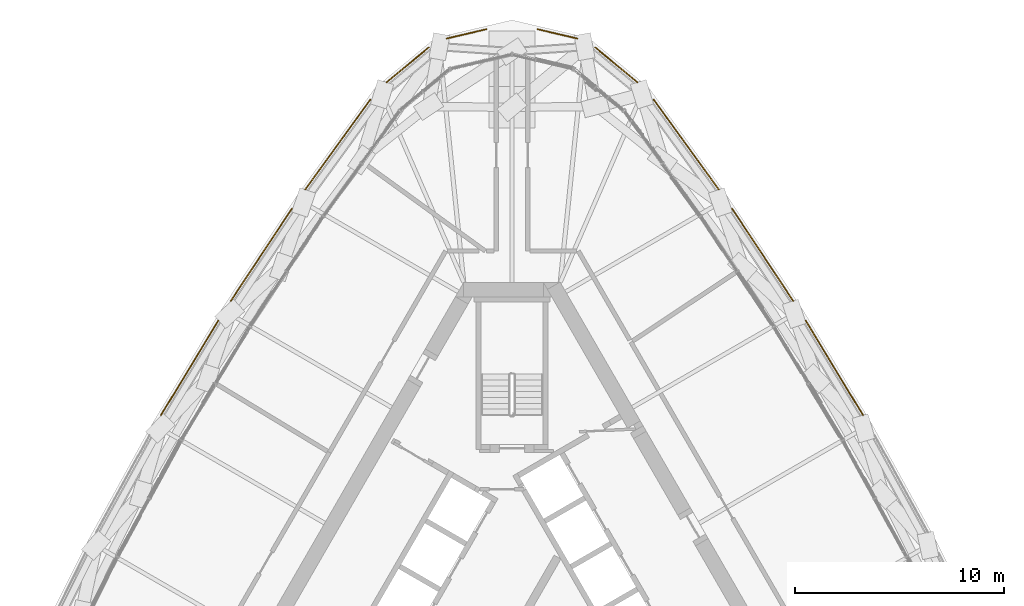
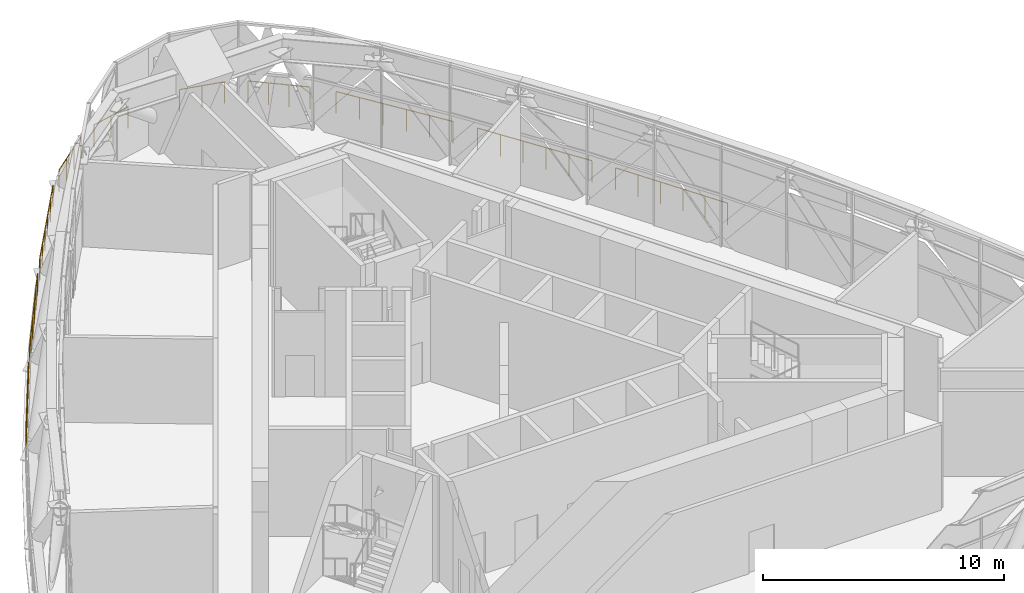
# One storey, part 33 of 33: 10 railings.
"""IFC4 building model written with IfcOpenShell, lengths in metres."""

from ifc_helpers import new_model, si_unit, direction, frame, origin, origin_2d, place, context, subcontext, project, spatial, circle, extrude, material, type_object, element, save


model = new_model("IFC4")

# Units and contexts
model_context = context("Model", 3, precision=1e-05, world=origin(), true_north=direction((0.0, 1.0)))
body_context = subcontext(model_context, "Body", "Model", "MODEL_VIEW")
ifc_project = project(units=[si_unit("LENGTHUNIT", "METRE"), si_unit("AREAUNIT", "SQUARE_METRE"), si_unit("VOLUMEUNIT", "CUBIC_METRE"), si_unit("PLANEANGLEUNIT", "RADIAN"), si_unit("MASSUNIT", "GRAM", prefix="KILO")], contexts=[model_context])

# Site, building, storey
site_placement = place(None, origin())
site = spatial("IfcSite", under=ifc_project, at=site_placement, CompositionType="ELEMENT")
building_placement = place(site_placement, origin())
building = spatial("IfcBuilding", under=site, at=building_placement, Name="Mestral Congress Tower", CompositionType="ELEMENT")
storey_placement = place(building_placement, frame((0.0, 0.0, 256.199951171875)))
storey = spatial("IfcBuildingStorey", under=building, at=storey_placement, Name="L60", CompositionType="ELEMENT", Elevation=256.199951171875)

# Railings
ifc_material = material(Name="Stainless steel", Category="steel")
railing_type = type_object("IfcRailingType", Name="Facade guard 1120 steel and glass", PredefinedType="GUARDRAIL", material=ifc_material)
railing_1_placement = place(storey_placement, frame((16.798828125, 10.341796875, 0.0)))
element("IfcRailing", 1, at=railing_1_placement, inside=storey, type_object=railing_type, Name="Band guard F1-03", PredefinedType="GUARDRAIL", context=body_context, shape_type="SweptSolid", body=[
    extrude(circle(Radius=0.02392578125, at=origin_2d()), frame((0.0, 0.0, 1.09619140625), z_axis=(-0.517846166225, 0.855473756538, 0.0), x_axis=(-0.855473756538, -0.517846166225, 0.0)), (0.0, 0.0, 1.0), 5.298095703125),
    extrude(circle(Radius=0.02099609375, at=origin_2d()), origin(), (0.0, 0.0, 1.0), 1.072021484375),
    extrude(circle(Radius=0.02099609375, at=origin_2d()), frame((-0.548828125, 0.906494140625, 0.0)), (0.0, 0.0, 1.0), 1.072021484375),
    extrude(circle(Radius=0.02099609375, at=origin_2d()), frame((-1.097412109375, 1.81298828125, 0.0)), (0.0, 0.0, 1.0), 1.072021484375),
    extrude(circle(Radius=0.02099609375, at=origin_2d()), frame((-1.646240234375, 2.719482421875, 0.0)), (0.0, 0.0, 1.0), 1.072021484375),
    extrude(circle(Radius=0.02099609375, at=origin_2d()), frame((-2.19482421875, 3.6259765625, 0.0)), (0.0, 0.0, 1.0), 1.072021484375),
    extrude(circle(Radius=0.02099609375, at=origin_2d()), frame((-2.74365234375, 4.532470703125, 0.0)), (0.0, 0.0, 1.0), 1.072021484375),
])
railing_2_placement = place(storey_placement, frame((13.458984375, 15.814697265625, 0.0)))
element("IfcRailing", 2, at=railing_2_placement, inside=storey, type_object=railing_type, Name="Band guard F1-04", PredefinedType="GUARDRAIL", context=body_context, shape_type="SweptSolid", body=[
    extrude(circle(Radius=0.02392578125, at=origin_2d()), frame((0.0, 0.0, 1.09619140625), z_axis=(-0.552955042689, 0.833211090159, 0.0), x_axis=(-0.833211090159, -0.552955042689, 0.0)), (0.0, 0.0, 1.0), 5.29833984375),
    extrude(circle(Radius=0.02099609375, at=origin_2d()), origin(), (0.0, 0.0, 1.0), 1.072021484375),
    extrude(circle(Radius=0.02099609375, at=origin_2d()), frame((-0.5859375, 0.8828125, 0.0)), (0.0, 0.0, 1.0), 1.072021484375),
    extrude(circle(Radius=0.02099609375, at=origin_2d()), frame((-1.171875, 1.765869140625, 0.0)), (0.0, 0.0, 1.0), 1.072021484375),
    extrude(circle(Radius=0.02099609375, at=origin_2d()), frame((-1.7578125, 2.648681640625, 0.0)), (0.0, 0.0, 1.0), 1.072021484375),
    extrude(circle(Radius=0.02099609375, at=origin_2d()), frame((-2.34375, 3.53173828125, 0.0)), (0.0, 0.0, 1.0), 1.072021484375),
    extrude(circle(Radius=0.02099609375, at=origin_2d()), frame((-2.9296875, 4.41455078125, 0.0)), (0.0, 0.0, 1.0), 1.072021484375),
])
railing_3_placement = place(storey_placement, frame((9.89453125, 21.14404296875, 0.0)))
element("IfcRailing", 3, at=railing_3_placement, inside=storey, type_object=railing_type, Name="Band guard F1-05", PredefinedType="GUARDRAIL", context=body_context, shape_type="SweptSolid", body=[
    extrude(circle(Radius=0.02392578125, at=origin_2d()), frame((0.0, 0.0, 1.09619140625), z_axis=(-0.586998456641, 0.80958805074, 0.0), x_axis=(-0.80958805074, -0.586998456641, 0.0)), (0.0, 0.0, 1.0), 5.310791015625),
    extrude(circle(Radius=0.02099609375, at=origin_2d()), origin(), (0.0, 0.0, 1.0), 1.072021484375),
    extrude(circle(Radius=0.02099609375, at=origin_2d()), frame((-0.62353515625, 0.85986328125, 0.0)), (0.0, 0.0, 1.0), 1.072021484375),
    extrude(circle(Radius=0.02099609375, at=origin_2d()), frame((-1.2470703125, 1.7197265625, 0.0)), (0.0, 0.0, 1.0), 1.072021484375),
    extrude(circle(Radius=0.02099609375, at=origin_2d()), frame((-1.870361328125, 2.579833984375, 0.0)), (0.0, 0.0, 1.0), 1.072021484375),
    extrude(circle(Radius=0.02099609375, at=origin_2d()), frame((-2.493896484375, 3.439697265625, 0.0)), (0.0, 0.0, 1.0), 1.072021484375),
    extrude(circle(Radius=0.02099609375, at=origin_2d()), frame((-3.117431640625, 4.299560546875, 0.0)), (0.0, 0.0, 1.0), 1.072021484375),
])
railing_4_placement = place(storey_placement, frame((5.999267578125, 26.2744140625, 0.0)))
element("IfcRailing", 4, at=railing_4_placement, inside=storey, type_object=railing_type, Name="Band guard K1-0", PredefinedType="GUARDRAIL", context=body_context, shape_type="SweptSolid", body=[
    extrude(circle(Radius=0.02392578125, at=origin_2d()), frame((0.0, 0.0, 1.09619140625), z_axis=(-0.769990037733, 0.638055908045, 0.0), x_axis=(-0.638055908045, -0.769990037733, 0.0)), (0.0, 0.0, 1.0), 2.609130859375),
    extrude(circle(Radius=0.02099609375, at=origin_2d()), origin(), (0.0, 0.0, 1.0), 1.072021484375),
    extrude(circle(Radius=0.02099609375, at=origin_2d()), frame((-0.669677734375, 0.554931640625, 0.0)), (0.0, 0.0, 1.0), 1.072021484375),
    extrude(circle(Radius=0.02099609375, at=origin_2d()), frame((-1.33935546875, 1.10986328125, 0.0)), (0.0, 0.0, 1.0), 1.072021484375),
    extrude(circle(Radius=0.02099609375, at=origin_2d()), frame((-2.009033203125, 1.664794921875, 0.0)), (0.0, 0.0, 1.0), 1.072021484375),
])
railing_5_placement = place(storey_placement, frame((3.127685546875, 28.3681640625, 0.0)))
element("IfcRailing", 5, at=railing_5_placement, inside=storey, type_object=railing_type, Name="Band guard K1-1", PredefinedType="GUARDRAIL", context=body_context, shape_type="SweptSolid", body=[
    extrude(circle(Radius=0.02392578125, at=origin_2d()), frame((0.0, 0.0, 1.09619140625), z_axis=(-0.97352225624, 0.228592249663, 0.0), x_axis=(-0.228592249663, -0.97352225624, 0.0)), (0.0, 0.0, 1.0), 1.947998046875),
    extrude(circle(Radius=0.02099609375, at=origin_2d()), origin(), (0.0, 0.0, 1.0), 1.072021484375),
    extrude(circle(Radius=0.02099609375, at=origin_2d()), frame((-0.9482421875, 0.22265625, 0.0)), (0.0, 0.0, 1.0), 1.072021484375),
    extrude(circle(Radius=0.02099609375, at=origin_2d()), frame((-1.896484375, 0.4453125, 0.0)), (0.0, 0.0, 1.0), 1.072021484375),
])
railing_6_placement = place(storey_placement, frame((-1.231201171875, 28.8134765625, 0.0)))
element("IfcRailing", 6, at=railing_6_placement, inside=storey, type_object=railing_type, Name="Band guard K1-2", PredefinedType="GUARDRAIL", context=body_context, shape_type="SweptSolid", body=[
    extrude(circle(Radius=0.02392578125, at=origin_2d()), frame((0.0, 0.0, 1.09619140625), z_axis=(-0.97352225624, -0.228592249663, 0.0), x_axis=(0.228592249663, -0.97352225624, 0.0)), (0.0, 0.0, 1.0), 1.947998046875),
    extrude(circle(Radius=0.02099609375, at=origin_2d()), origin(), (0.0, 0.0, 1.0), 1.072021484375),
    extrude(circle(Radius=0.02099609375, at=origin_2d()), frame((-0.9482421875, -0.22265625, 0.0)), (0.0, 0.0, 1.0), 1.072021484375),
    extrude(circle(Radius=0.02099609375, at=origin_2d()), frame((-1.896484375, -0.4453125, 0.0)), (0.0, 0.0, 1.0), 1.072021484375),
])
railing_7_placement = place(storey_placement, frame((-3.990234375, 27.939208984375, 0.0)))
element("IfcRailing", 7, at=railing_7_placement, inside=storey, type_object=railing_type, Name="Band guard K1-3", PredefinedType="GUARDRAIL", context=body_context, shape_type="SweptSolid", body=[
    extrude(circle(Radius=0.02392578125, at=origin_2d()), frame((0.0, 0.0, 1.09619140625), z_axis=(-0.769990037733, -0.638055908045, 0.0), x_axis=(0.638055908045, -0.769990037733, 0.0)), (0.0, 0.0, 1.0), 2.609130859375),
    extrude(circle(Radius=0.02099609375, at=origin_2d()), origin(), (0.0, 0.0, 1.0), 1.072021484375),
    extrude(circle(Radius=0.02099609375, at=origin_2d()), frame((-0.669677734375, -0.554931640625, 0.0)), (0.0, 0.0, 1.0), 1.072021484375),
    extrude(circle(Radius=0.02099609375, at=origin_2d()), frame((-1.33935546875, -1.10986328125, 0.0)), (0.0, 0.0, 1.0), 1.072021484375),
    extrude(circle(Radius=0.02099609375, at=origin_2d()), frame((-2.009033203125, -1.664794921875, 0.0)), (0.0, 0.0, 1.0), 1.072021484375),
])
railing_8_placement = place(storey_placement, frame((-6.777099609375, 25.443603515625, 0.0)))
element("IfcRailing", 8, at=railing_8_placement, inside=storey, type_object=railing_type, Name="Band guard F2-00", PredefinedType="GUARDRAIL", context=body_context, shape_type="SweptSolid", body=[
    extrude(circle(Radius=0.02392578125, at=origin_2d()), frame((0.0, 0.0, 1.09619140625), z_axis=(-0.586998456641, -0.80958805074, 0.0), x_axis=(0.80958805074, -0.586998456641, 0.0)), (0.0, 0.0, 1.0), 5.310791015625),
    extrude(circle(Radius=0.02099609375, at=origin_2d()), origin(), (0.0, 0.0, 1.0), 1.072021484375),
    extrude(circle(Radius=0.02099609375, at=origin_2d()), frame((-0.62353515625, -0.85986328125, 0.0)), (0.0, 0.0, 1.0), 1.072021484375),
    extrude(circle(Radius=0.02099609375, at=origin_2d()), frame((-1.2470703125, -1.7197265625, 0.0)), (0.0, 0.0, 1.0), 1.072021484375),
    extrude(circle(Radius=0.02099609375, at=origin_2d()), frame((-1.870361328125, -2.579833984375, 0.0)), (0.0, 0.0, 1.0), 1.072021484375),
    extrude(circle(Radius=0.02099609375, at=origin_2d()), frame((-2.493896484375, -3.439697265625, 0.0)), (0.0, 0.0, 1.0), 1.072021484375),
    extrude(circle(Radius=0.02099609375, at=origin_2d()), frame((-3.117431640625, -4.299560546875, 0.0)), (0.0, 0.0, 1.0), 1.072021484375),
])
railing_9_placement = place(storey_placement, frame((-10.529296875, 20.229248046875, 0.0)))
element("IfcRailing", 9, at=railing_9_placement, inside=storey, type_object=railing_type, Name="Band guard F2-01", PredefinedType="GUARDRAIL", context=body_context, shape_type="SweptSolid", body=[
    extrude(circle(Radius=0.02392578125, at=origin_2d()), frame((0.0, 0.0, 1.09619140625), z_axis=(-0.552955042689, -0.833211090159, 0.0), x_axis=(0.833211090159, -0.552955042689, 0.0)), (0.0, 0.0, 1.0), 5.29833984375),
    extrude(circle(Radius=0.02099609375, at=origin_2d()), origin(), (0.0, 0.0, 1.0), 1.072021484375),
    extrude(circle(Radius=0.02099609375, at=origin_2d()), frame((-0.5859375, -0.8828125, 0.0)), (0.0, 0.0, 1.0), 1.072021484375),
    extrude(circle(Radius=0.02099609375, at=origin_2d()), frame((-1.171875, -1.765869140625, 0.0)), (0.0, 0.0, 1.0), 1.072021484375),
    extrude(circle(Radius=0.02099609375, at=origin_2d()), frame((-1.7578125, -2.648681640625, 0.0)), (0.0, 0.0, 1.0), 1.072021484375),
    extrude(circle(Radius=0.02099609375, at=origin_2d()), frame((-2.34375, -3.53173828125, 0.0)), (0.0, 0.0, 1.0), 1.072021484375),
    extrude(circle(Radius=0.02099609375, at=origin_2d()), frame((-2.9296875, -4.41455078125, 0.0)), (0.0, 0.0, 1.0), 1.072021484375),
])
railing_10_placement = place(storey_placement, frame((-14.05517578125, 14.874267578125, 0.0)))
element("IfcRailing", 10, at=railing_10_placement, inside=storey, type_object=railing_type, Name="Band guard F2-02", PredefinedType="GUARDRAIL", context=body_context, shape_type="SweptSolid", body=[
    extrude(circle(Radius=0.02392578125, at=origin_2d()), frame((0.0, 0.0, 1.09619140625), z_axis=(-0.517846166225, -0.855473756538, 0.0), x_axis=(0.855473756538, -0.517846166225, 0.0)), (0.0, 0.0, 1.0), 5.298095703125),
    extrude(circle(Radius=0.02099609375, at=origin_2d()), origin(), (0.0, 0.0, 1.0), 1.072021484375),
    extrude(circle(Radius=0.02099609375, at=origin_2d()), frame((-0.548828125, -0.906494140625, 0.0)), (0.0, 0.0, 1.0), 1.072021484375),
    extrude(circle(Radius=0.02099609375, at=origin_2d()), frame((-1.097412109375, -1.81298828125, 0.0)), (0.0, 0.0, 1.0), 1.072021484375),
    extrude(circle(Radius=0.02099609375, at=origin_2d()), frame((-1.646240234375, -2.719482421875, 0.0)), (0.0, 0.0, 1.0), 1.072021484375),
    extrude(circle(Radius=0.02099609375, at=origin_2d()), frame((-2.19482421875, -3.6259765625, 0.0)), (0.0, 0.0, 1.0), 1.072021484375),
    extrude(circle(Radius=0.02099609375, at=origin_2d()), frame((-2.74365234375, -4.532470703125, 0.0)), (0.0, 0.0, 1.0), 1.072021484375),
])

save(model, "model.ifc")
